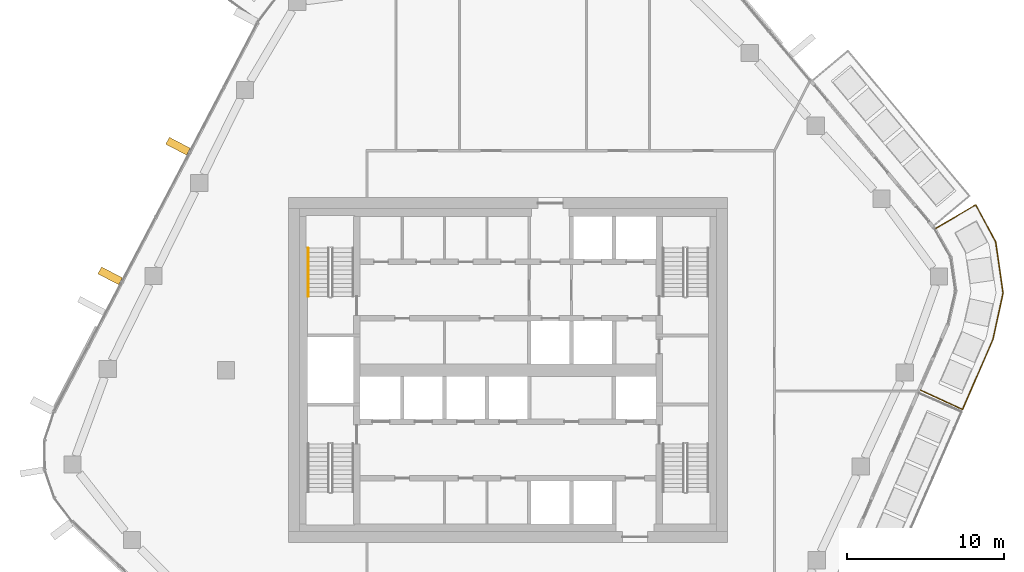
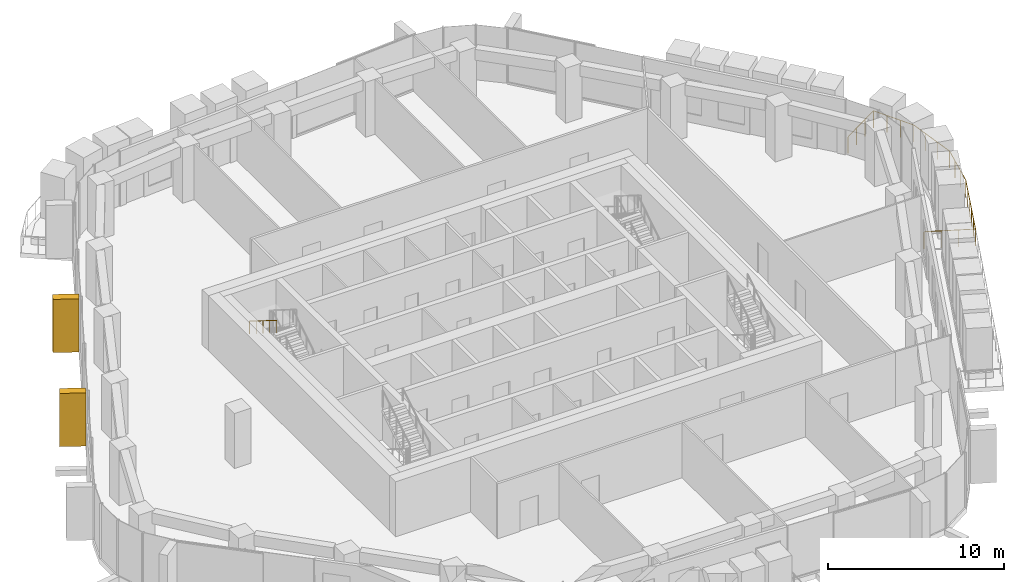
# One storey, part 18 of 20: 2 coverings, 2 railings, 1 element without a shape of its own.
"""IFC4 building model written with IfcOpenShell, lengths in metres."""

from ifc_helpers import new_model, si_unit, direction, frame, origin, origin_2d, place, context, subcontext, project, spatial, rectangle, circle, extrude, material, layer, layer_set, material_profile, profile_set, type_object, element, aggregate, save


model = new_model("IFC4")

# Units and contexts
model_context = context("Model", 3, precision=1e-05, world=origin(), true_north=direction((0.0, 1.0)))
body_context = subcontext(model_context, "Body", "Model", "MODEL_VIEW")
ifc_project = project(units=[si_unit("LENGTHUNIT", "METRE"), si_unit("AREAUNIT", "SQUARE_METRE"), si_unit("VOLUMEUNIT", "CUBIC_METRE"), si_unit("PLANEANGLEUNIT", "RADIAN"), si_unit("MASSUNIT", "GRAM", prefix="KILO")], contexts=[model_context])

# Site, building, storey
site_placement = place(None, origin())
site = spatial("IfcSite", under=ifc_project, at=site_placement, CompositionType="ELEMENT")
building_placement = place(site_placement, origin())
building = spatial("IfcBuilding", under=site, at=building_placement, Name="Dongbaek Canopy Tower", CompositionType="ELEMENT")
storey_placement = place(building_placement, frame((0.0, 0.0, 245.39990234375)))
storey = spatial("IfcBuildingStorey", under=building, at=storey_placement, Name="L51", CompositionType="ELEMENT", Elevation=245.39990234375)

# Railing
ifc_material_1 = material(Name="Stainless steel", Category="steel")
railing_type_1 = type_object("IfcRailingType", Name="Balcony balustrade 1200", PredefinedType="BALUSTRADE", material=ifc_material_1)
railing_1_placement = place(storey_placement, frame((26.322509765625, -1.27978515625, 0.0)))
element("IfcRailing", 1, at=railing_1_placement, inside=storey, type_object=railing_type_1, Name="Balcony guard L51 6", PredefinedType="BALUSTRADE", context=body_context, shape_type="SweptSolid", body=[
    extrude(circle(Radius=0.02392578125, at=origin_2d()), frame((0.0, 0.0, 1.17578125), z_axis=(0.908017693991, -0.418931817124, 0.0), x_axis=(0.418931817124, 0.908017693991, 0.0)), (0.0, 0.0, 1.0), 2.940673828125),
    extrude(circle(Radius=0.02392578125, at=origin_2d()), frame((2.670166015625, -1.23193359375, 1.17578125), z_axis=(0.397921664893, 0.917419396246, 0.0), x_axis=(-0.917419396246, 0.397921664893, 0.0)), (0.0, 0.0, 1.0), 4.8837890625),
    extrude(circle(Radius=0.02392578125, at=origin_2d()), frame((4.613525390625, 3.24853515625, 1.17578125), z_axis=(0.212886308317, 0.977076977383, 0.0), x_axis=(-0.977076977383, 0.212886308317, 0.0)), (0.0, 0.0, 1.0), 3.018310546875),
    extrude(circle(Radius=0.02392578125, at=origin_2d()), frame((5.256103515625, 6.19775390625, 1.17578125), z_axis=(-0.142440196603, 0.989803409972, 0.0), x_axis=(-0.989803409972, -0.142440196603, 0.0)), (0.0, 0.0, 1.0), 3.287353515625),
    extrude(circle(Radius=0.02392578125, at=origin_2d()), frame((4.787841796875, 9.45166015625, 1.17578125), z_axis=(-0.474234767146, 0.880398424368, 0.0), x_axis=(-0.880398424368, -0.474234767146, 0.0)), (0.0, 0.0, 1.0), 2.697021484375),
    extrude(circle(Radius=0.02392578125, at=origin_2d()), frame((3.5087890625, 11.826171875, 1.17578125), z_axis=(-0.861256903686, -0.508169800218, 0.0), x_axis=(0.508169800218, -0.861256903686, 0.0)), (0.0, 0.0, 1.0), 2.940673828125),
    extrude(circle(Radius=0.02099609375, at=origin_2d()), origin(), (0.0, 0.0, 1.0), 1.15185546875),
    extrude(circle(Radius=0.02099609375, at=origin_2d()), frame((0.89013671875, -0.41064453125, 0.0)), (0.0, 0.0, 1.0), 1.15185546875),
    extrude(circle(Radius=0.02099609375, at=origin_2d()), frame((1.780029296875, -0.8212890625, 0.0)), (0.0, 0.0, 1.0), 1.15185546875),
    extrude(circle(Radius=0.02099609375, at=origin_2d()), frame((2.670166015625, -1.23193359375, 0.0)), (0.0, 0.0, 1.0), 1.15185546875),
    extrude(circle(Radius=0.02099609375, at=origin_2d()), frame((3.058837890625, -0.3359375, 0.0)), (0.0, 0.0, 1.0), 1.15185546875),
    extrude(circle(Radius=0.02099609375, at=origin_2d()), frame((3.447509765625, 0.560302734375, 0.0)), (0.0, 0.0, 1.0), 1.15185546875),
    extrude(circle(Radius=0.02099609375, at=origin_2d()), frame((3.836181640625, 1.456298828125, 0.0)), (0.0, 0.0, 1.0), 1.15185546875),
    extrude(circle(Radius=0.02099609375, at=origin_2d()), frame((4.224853515625, 2.3525390625, 0.0)), (0.0, 0.0, 1.0), 1.15185546875),
    extrude(circle(Radius=0.02099609375, at=origin_2d()), frame((4.613525390625, 3.24853515625, 0.0)), (0.0, 0.0, 1.0), 1.15185546875),
    extrude(circle(Radius=0.02099609375, at=origin_2d()), frame((4.82763671875, 4.231689453125, 0.0)), (0.0, 0.0, 1.0), 1.15185546875),
    extrude(circle(Radius=0.02099609375, at=origin_2d()), frame((5.0419921875, 5.214599609375, 0.0)), (0.0, 0.0, 1.0), 1.15185546875),
    extrude(circle(Radius=0.02099609375, at=origin_2d()), frame((5.256103515625, 6.19775390625, 0.0)), (0.0, 0.0, 1.0), 1.15185546875),
    extrude(circle(Radius=0.02099609375, at=origin_2d()), frame((5.10009765625, 7.282470703125, 0.0)), (0.0, 0.0, 1.0), 1.15185546875),
    extrude(circle(Radius=0.02099609375, at=origin_2d()), frame((4.94384765625, 8.366943359375, 0.0)), (0.0, 0.0, 1.0), 1.15185546875),
    extrude(circle(Radius=0.02099609375, at=origin_2d()), frame((4.787841796875, 9.45166015625, 0.0)), (0.0, 0.0, 1.0), 1.15185546875),
    extrude(circle(Radius=0.02099609375, at=origin_2d()), frame((4.361572265625, 10.2431640625, 0.0)), (0.0, 0.0, 1.0), 1.15185546875),
    extrude(circle(Radius=0.02099609375, at=origin_2d()), frame((3.93505859375, 11.03466796875, 0.0)), (0.0, 0.0, 1.0), 1.15185546875),
    extrude(circle(Radius=0.02099609375, at=origin_2d()), frame((3.5087890625, 11.826171875, 0.0)), (0.0, 0.0, 1.0), 1.15185546875),
    extrude(circle(Radius=0.02099609375, at=origin_2d()), frame((2.66455078125, 11.328125, 0.0)), (0.0, 0.0, 1.0), 1.15185546875),
    extrude(circle(Radius=0.02099609375, at=origin_2d()), frame((1.8203125, 10.829833984375, 0.0)), (0.0, 0.0, 1.0), 1.15185546875),
    extrude(circle(Radius=0.02099609375, at=origin_2d()), frame((0.97607421875, 10.331787109375, 0.0)), (0.0, 0.0, 1.0), 1.15185546875),
])

# Curtain wall, coverings
ifc_material_2 = material(Name="Aluminium 6063-T6 pale anodised", Category="aluminium")
ifc_layer = layer(ifc_material_2, 0.199951171875)
ifc_layer_set = layer_set([ifc_layer], Name="CW-1 unitised tower curtain wall")
curtain_wall_type = type_object("IfcCurtainWallType", Name="CW-1 unitised tower curtain wall", PredefinedType="NOTDEFINED", material=ifc_layer_set)
curtain_wall_placement = place(storey_placement, origin())
curtain_wall = element("IfcCurtainWall", 2, at=curtain_wall_placement, inside=storey, type_object=curtain_wall_type, Name="CW-1 curtain wall F2.1", PredefinedType="NOTDEFINED")
ifc_material_3 = material(Name="Aluminium 6063-T6 pale metal fin", Category="aluminium")
ifc_material_profile = material_profile(ifc_material_3, rectangle(XDim=1.5, YDim=0.5, at=origin_2d()), Name="Fin FN1 500 x 1500 pale metal")
ifc_profile_set = profile_set([ifc_material_profile], Name="Aluminium 6063-T6 pale metal fin")
covering_type = type_object("IfcCoveringType", Name="Fin FN1 500 x 1500 pale metal", PredefinedType="CLADDING", material=ifc_profile_set)
covering_1_placement = place(storey_placement, frame((-21.059326171875, 14.28857421875, 0.1201171875), z_axis=(0.0, 0.0, 1.0), x_axis=(-0.886019109709, 0.463648721803, 0.0)))
covering_1 = element("IfcCovering", 3, at=covering_1_placement, type_object=covering_type, Name="Fin F2.1.3", PredefinedType="CLADDING", context=body_context, shape_type="SweptSolid", body=[
    extrude(rectangle(XDim=1.5, YDim=0.5, at=origin_2d()), origin(), (0.0, 0.0, 1.0), 3.699951171875),
])
covering_2_placement = place(storey_placement, frame((-25.3876953125, 6.017578125, 0.1201171875), z_axis=(0.0, 0.0, 1.0), x_axis=(-0.886019109709, 0.463648721803, 0.0)))
covering_2 = element("IfcCovering", 4, at=covering_2_placement, type_object=covering_type, Name="Fin F2.1.5", PredefinedType="CLADDING", context=body_context, shape_type="SweptSolid", body=[
    extrude(rectangle(XDim=1.5, YDim=0.5, at=origin_2d()), origin(), (0.0, 0.0, 1.0), 3.699951171875),
])
aggregate(curtain_wall, [covering_1, covering_2])

# Railing
ifc_material_4 = material(Name="Stainless steel tube", Category="steel")
railing_type_2 = type_object("IfcRailingType", Name="Stair handrail 900", PredefinedType="HANDRAIL", material=ifc_material_4)
railing_2_placement = place(storey_placement, frame((-12.75, 7.780029296875, 2.275146484375)))
element("IfcRailing", 5, at=railing_2_placement, inside=storey, type_object=railing_type_2, Name="L51 ST-C stair handrail 2", PredefinedType="HANDRAIL", context=body_context, shape_type="SweptSolid", body=[
    extrude(circle(Radius=0.02392578125, at=origin_2d()), frame((0.0, 0.0, 0.8759765625), z_axis=(0.0, -0.847998304005, 0.529998940003), x_axis=(1.0, 0.0, 0.0)), (0.0, 0.0, 1.0), 3.632080078125),
    extrude(circle(Radius=0.02099609375, at=origin_2d()), origin(), (0.0, 0.0, 1.0), 0.851806640625),
    extrude(circle(Radius=0.02099609375, at=origin_2d()), frame((0.0, -0.77001953125, 0.481201171875)), (0.0, 0.0, 1.0), 0.851806640625),
    extrude(circle(Radius=0.02099609375, at=origin_2d()), frame((0.0, -1.5400390625, 0.96240234375)), (0.0, 0.0, 1.0), 0.851806640625),
    extrude(circle(Radius=0.02099609375, at=origin_2d()), frame((0.0, -2.31005859375, 1.44384765625)), (0.0, 0.0, 1.0), 0.851806640625),
    extrude(circle(Radius=0.02099609375, at=origin_2d()), frame((0.0, -3.080078125, 1.925048828125)), (0.0, 0.0, 1.0), 0.851806640625),
])

save(model, "model.ifc")
